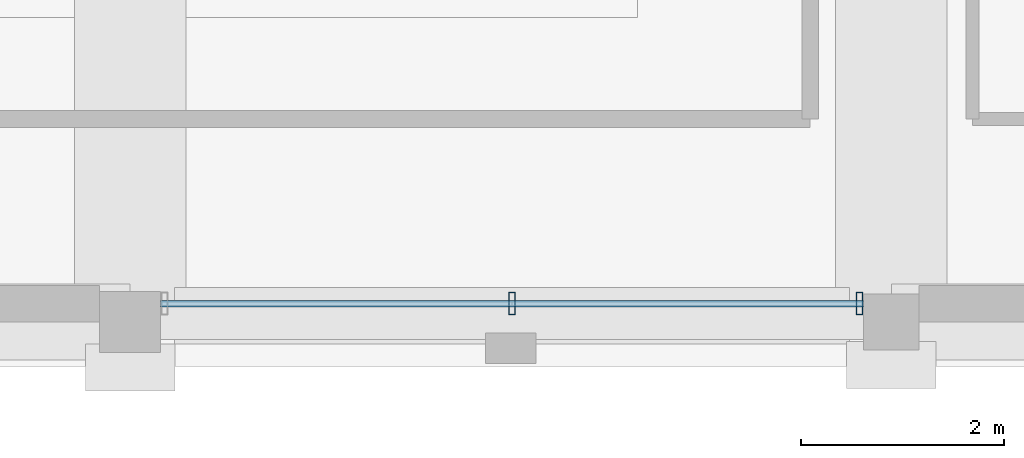
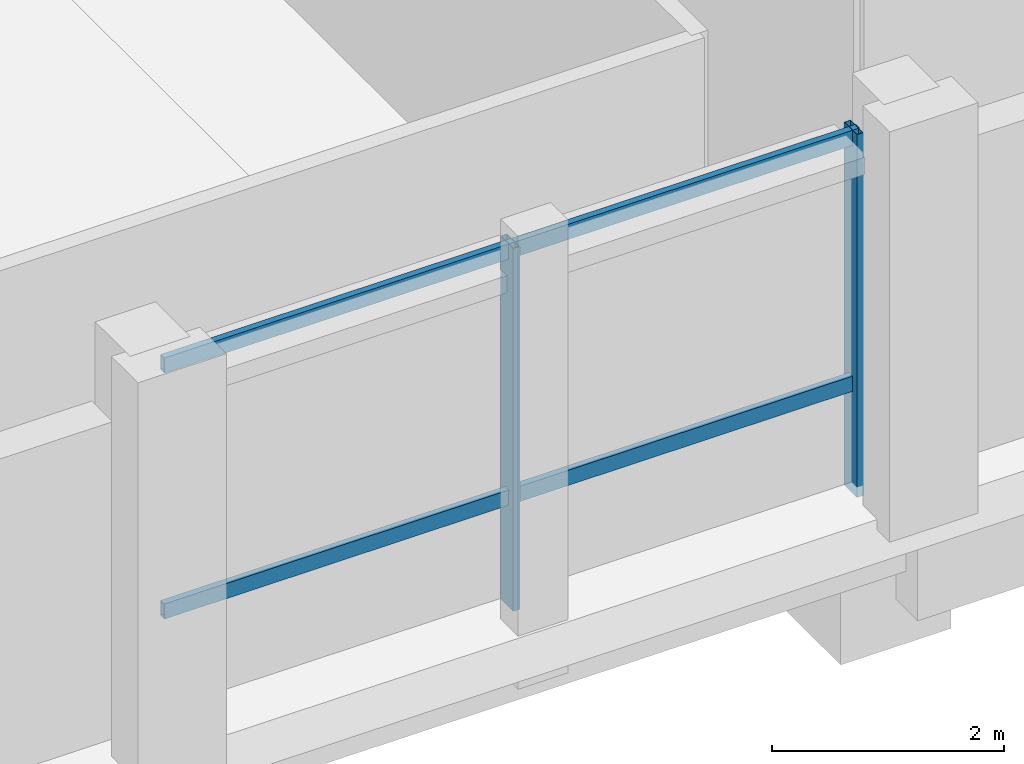
# One storey, part 26 of 68: 4 members, 1 element without a shape of its own.
"""IFC4 building model written with IfcOpenShell, lengths in metres."""

from ifc_helpers import new_model, si_unit, direction, frame, origin, origin_2d, place, context, subcontext, project, spatial, hollow_rectangle, extrude, material, material_profile, profile_set, type_object, element, aggregate, save


model = new_model("IFC4")

# Units and contexts
model_context = context("Model", 3, precision=1e-05, world=origin(), true_north=direction((0.0, 1.0)))
body_context = subcontext(model_context, "Body", "Model", "MODEL_VIEW")
ifc_project = project(units=[si_unit("LENGTHUNIT", "METRE"), si_unit("AREAUNIT", "SQUARE_METRE"), si_unit("VOLUMEUNIT", "CUBIC_METRE"), si_unit("PLANEANGLEUNIT", "RADIAN"), si_unit("MASSUNIT", "GRAM", prefix="KILO")], contexts=[model_context])

# Site, building, storey
site_placement = place(None, origin())
site = spatial("IfcSite", under=ifc_project, at=site_placement, CompositionType="ELEMENT")
building_placement = place(site_placement, origin())
building = spatial("IfcBuilding", under=site, at=building_placement, Name="Akrevak Sports Hall", CompositionType="ELEMENT")
storey_placement = place(building_placement, frame((0.0, 0.0, 9.39990234375)))
storey = spatial("IfcBuildingStorey", under=building, at=storey_placement, Name="L02", CompositionType="ELEMENT", Elevation=9.39990234375)

# Curtain wall, members
ifc_material_1 = material(Name="Anodized Bronze Aluminium & Low-E Glass", Category="aluminium")
curtain_wall_type = type_object("IfcCurtainWallType", Name="ARC-CW-POD-70x42", PredefinedType="NOTDEFINED", material=ifc_material_1)
curtain_wall_placement = place(storey_placement, origin())
curtain_wall = element("IfcCurtainWall", 1, at=curtain_wall_placement, inside=storey, type_object=curtain_wall_type, Name="Curtain Wall CW-L02-S13", PredefinedType="NOTDEFINED")
ifc_material_2 = material(Name="Anodized Bronze Aluminium", Category="aluminium")
ifc_material_profile_1 = material_profile(ifc_material_2, hollow_rectangle(XDim=0.06494140625, YDim=0.219970703125, WallThickness=0.00439453125, at=origin_2d()), Name="CWM 65x220", Category="aluminium")
ifc_profile_set_1 = profile_set([ifc_material_profile_1], Name="Anodized Bronze Aluminium")
member_type_1 = type_object("IfcMemberType", Name="ARC-CWM-70x160", PredefinedType="MULLION", material=ifc_profile_set_1)
member_1_placement = place(storey_placement, frame((111.762451171875, 0.179931640625, 0.0), z_axis=(0.0, 0.0, 1.0), x_axis=(1.0, 0.0, 0.0)))
member_1 = element("IfcMember", 2, at=member_1_placement, type_object=member_type_1, Name="Curtain Wall Mullion CW-L02-S13-M2", PredefinedType="MULLION", context=body_context, shape_type="SweptSolid", body=[
    extrude(hollow_rectangle(XDim=0.06494140625, YDim=0.219970703125, WallThickness=0.00439453125, at=origin_2d()), origin(), (0.0, 0.0, 1.0), 3.820068359375),
])
member_2_placement = place(storey_placement, frame((115.18505859375, 0.179931640625, 0.0), z_axis=(0.0, 0.0, 1.0), x_axis=(1.0, 0.0, 0.0)))
member_2 = element("IfcMember", 3, at=member_2_placement, type_object=member_type_1, Name="Curtain Wall Mullion CW-L02-S13-M3", PredefinedType="MULLION", context=body_context, shape_type="SweptSolid", body=[
    extrude(hollow_rectangle(XDim=0.06494140625, YDim=0.219970703125, WallThickness=0.00439453125, at=origin_2d()), origin(), (0.0, 0.0, 1.0), 3.820068359375),
])
ifc_material_profile_2 = material_profile(ifc_material_2, hollow_rectangle(XDim=0.06494140625, YDim=0.159912109375, WallThickness=0.00390625, at=origin_2d()), Name="CWT 65x160", Category="aluminium")
ifc_profile_set_2 = profile_set([ifc_material_profile_2], Name="Anodized Bronze Aluminium")
member_type_2 = type_object("IfcMemberType", Name="ARC-CWT-70x130", PredefinedType="USERDEFINED", material=ifc_profile_set_2)
member_3_placement = place(storey_placement, frame((108.300048828125, 0.179931640625, 1.150146484375), z_axis=(1.0, 0.0, 0.0), x_axis=(0.0, 1.0, 0.0)))
member_3 = element("IfcMember", 4, at=member_3_placement, type_object=member_type_2, Name="Curtain Wall Transom CW-L02-S13-T1", ObjectType="TRANSOM", PredefinedType="USERDEFINED", context=body_context, shape_type="SweptSolid", body=[
    extrude(hollow_rectangle(XDim=0.06494140625, YDim=0.159912109375, WallThickness=0.00390625, at=origin_2d()), origin(), (0.0, 0.0, 1.0), 6.925048828125),
])
member_4_placement = place(storey_placement, frame((108.300048828125, 0.179931640625, 3.739990234375), z_axis=(1.0, 0.0, 0.0), x_axis=(0.0, 1.0, 0.0)))
member_4 = element("IfcMember", 5, at=member_4_placement, type_object=member_type_2, Name="Curtain Wall Transom CW-L02-S13-T2", ObjectType="TRANSOM", PredefinedType="USERDEFINED", context=body_context, shape_type="SweptSolid", body=[
    extrude(hollow_rectangle(XDim=0.06494140625, YDim=0.159912109375, WallThickness=0.00390625, at=origin_2d()), origin(), (0.0, 0.0, 1.0), 6.925048828125),
])
aggregate(curtain_wall, [member_1, member_2, member_3, member_4])

save(model, "model.ifc")
